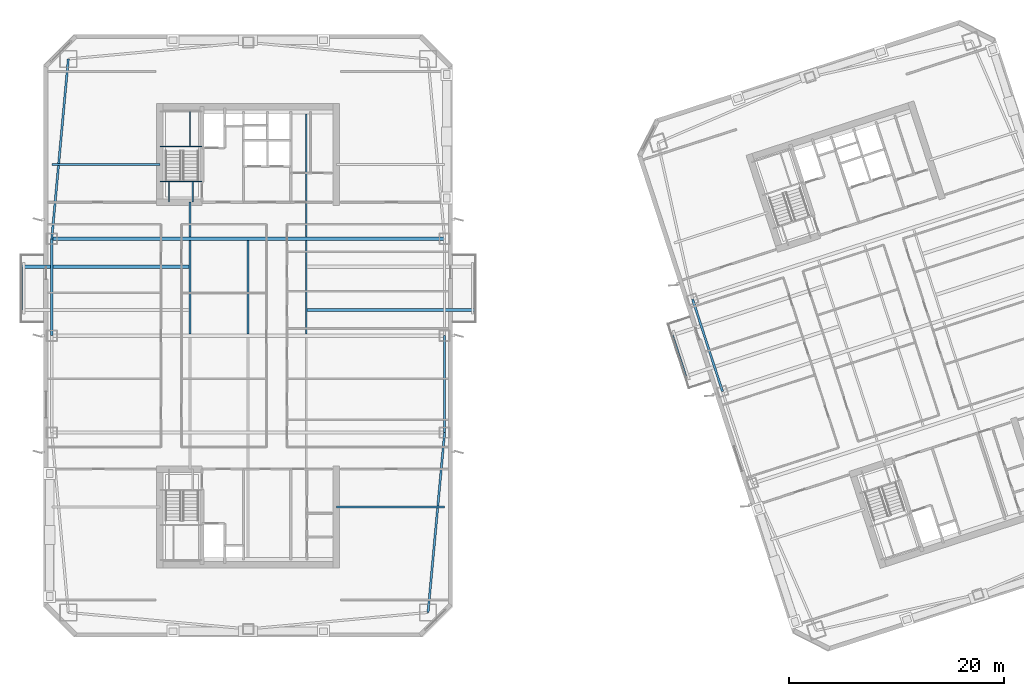
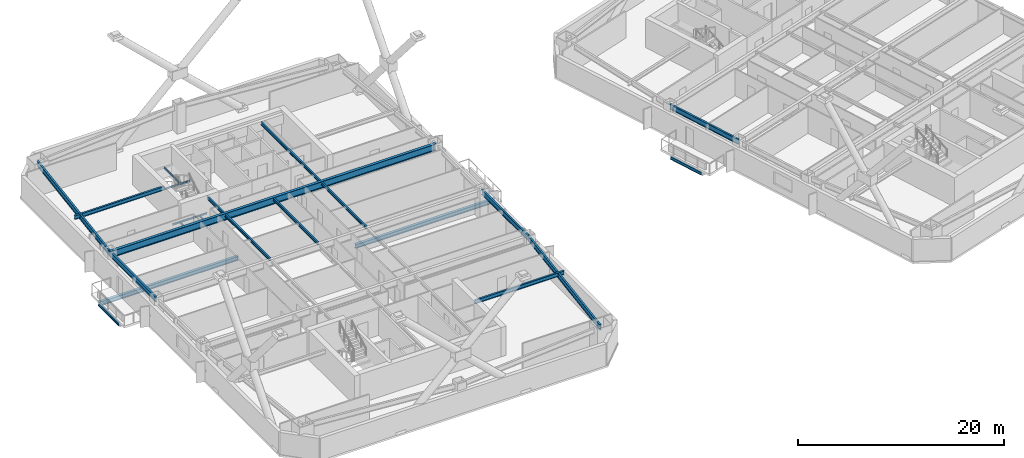
# One storey, part 4 of 24: 22 beams.
"""IFC4 building model written with IfcOpenShell, lengths in metres."""

from ifc_helpers import new_model, si_unit, direction, frame, origin, origin_2d, place, context, subcontext, project, spatial, i_section, extrude, material, material_profile, profile_set, type_object, element, save


model = new_model("IFC4")

# Units and contexts
model_context = context("Model", 3, precision=1e-05, world=origin(), true_north=direction((0.0, 1.0)))
body_context = subcontext(model_context, "Body", "Model", "MODEL_VIEW")
ifc_project = project(units=[si_unit("LENGTHUNIT", "METRE"), si_unit("AREAUNIT", "SQUARE_METRE"), si_unit("VOLUMEUNIT", "CUBIC_METRE"), si_unit("PLANEANGLEUNIT", "RADIAN"), si_unit("MASSUNIT", "GRAM", prefix="KILO")], contexts=[model_context])

# Site, building, storey
site_placement = place(None, origin())
site = spatial("IfcSite", under=ifc_project, at=site_placement, CompositionType="ELEMENT")
building_placement = place(site_placement, origin())
building = spatial("IfcBuilding", under=site, at=building_placement, Name="Qiaolan Cultural Towers", CompositionType="ELEMENT")
storey_placement = place(building_placement, frame((0.0, 0.0, 120.75)))
storey = spatial("IfcBuildingStorey", under=building, at=storey_placement, Name="L31", CompositionType="ELEMENT", Elevation=120.75)

# Beams
ifc_material_1 = material(Name="Steel Q355B", Category="steel")
ifc_material_profile_1 = material_profile(ifc_material_1, i_section(OverallWidth=0.300048828125, OverallDepth=0.488037109375, WebThickness=0.010986328125, FlangeThickness=0.01806640625, at=origin_2d()), Name="HM488x300x11x18")
ifc_profile_set_1 = profile_set([ifc_material_profile_1], Name="Steel Q355B")
beam_type_1 = type_object("IfcBeamType", Name="BM-HM488x300x11x18", PredefinedType="BEAM", material=ifc_profile_set_1)
for number, where, z_axis, x_axis, name in (
    (1, (24.60009765625, 40.39990234375, -0.52392578125), (-1.0, 0.0, 0.0), (0.0, -1.0, 0.0), "L31 T1 Tree Balcony Back-Spanned Bracket Beam"),
    (2, (35.39990234375, 36.39990234375, -0.52392578125), (1.0, 0.0, 0.0), (0.0, 1.0, 0.0), "L31 T1 Tree Balcony Back-Spanned Bracket Beam"),
):
    element("IfcBeam", number, at=place(storey_placement, frame(where, z_axis=z_axis, x_axis=x_axis)), inside=storey, type_object=beam_type_1, Name=name, PredefinedType="BEAM", context=body_context, shape_type="SweptSolid", body=[
        extrude(i_section(OverallWidth=0.300048828125, OverallDepth=0.488037109375, WebThickness=0.010986328125, FlangeThickness=0.01806640625, at=origin_2d()), origin(), (0.0, 0.0, 1.0), 15.650146484375),
    ])
ifc_material_2 = material(Name="Steel Q355B", Category="steel")
ifc_material_profile_2 = material_profile(ifc_material_2, i_section(OverallWidth=0.300048828125, OverallDepth=0.800048828125, WebThickness=0.013916015625, FlangeThickness=0.02587890625, at=origin_2d()), Name="HN800x300x14x26")
ifc_profile_set_2 = profile_set([ifc_material_profile_2], Name="Steel Q355B")
beam_type_2 = type_object("IfcBeamType", Name="BM-HN800x300x14x26", PredefinedType="BEAM", material=ifc_profile_set_2)
beam_1_placement = place(storey_placement, frame((11.75, 43.0, 2.7900390625), z_axis=(1.0, 0.0, 0.0), x_axis=(0.0, 1.0, 0.0)))
element("IfcBeam", 3, at=beam_1_placement, inside=storey, type_object=beam_type_2, Name="L31 T1 Primary Transverse Girder V3", PredefinedType="BEAM", context=body_context, shape_type="SweptSolid", body=[
    extrude(i_section(OverallWidth=0.300048828125, OverallDepth=0.800048828125, WebThickness=0.013916015625, FlangeThickness=0.02587890625, at=origin_2d()), origin(), (0.0, 0.0, 1.0), 36.5),
])
ifc_material_3 = material(Name="Steel Q355B", Category="steel")
ifc_material_profile_3 = material_profile(ifc_material_3, i_section(OverallWidth=0.175048828125, OverallDepth=0.35009765625, WebThickness=0.007080078125, FlangeThickness=0.010986328125, at=origin_2d()), Name="HN350x175x7x11")
ifc_profile_set_3 = profile_set([ifc_material_profile_3], Name="Steel Q355B")
beam_type_3 = type_object("IfcBeamType", Name="BM-JST-HN350x175x7x11", PredefinedType="JOIST", material=ifc_profile_set_3)
for number, where, z_axis, x_axis, name in (
    (4, (8.949951171875, 36.39990234375, -0.52392578125), (0.0, 1.0, 0.0), (-1.0, 0.0, 0.0), "L31 T1 Tree Balcony Outer Edge Beam"),
    (5, (70.665283203125, 30.2412109375, -0.52392578125), (-0.309022586479, 0.951054699292, 0.0), (-0.951054699292, -0.309022586479, 0.0), "L31 T2 Tree Balcony Outer Edge Beam"),
):
    element("IfcBeam", number, at=place(storey_placement, frame(where, z_axis=z_axis, x_axis=x_axis)), inside=storey, type_object=beam_type_3, Name=name, PredefinedType="JOIST", context=body_context, shape_type="SweptSolid", body=[
        extrude(i_section(OverallWidth=0.175048828125, OverallDepth=0.35009765625, WebThickness=0.007080078125, FlangeThickness=0.010986328125, at=origin_2d()), origin(), (0.0, 0.0, 1.0), 4.0),
    ])
beam_2_placement = place(storey_placement, frame((24.60009765625, 34.14990234375, 3.014892578125), z_axis=(0.0, 1.0, 0.0), x_axis=(-1.0, 0.0, 0.0)))
element("IfcBeam", 6, at=beam_2_placement, inside=storey, type_object=beam_type_3, Name="L31 T1 Secondary Floor Joist U1-3", PredefinedType="JOIST", context=body_context, shape_type="SweptSolid", body=[
    extrude(i_section(OverallWidth=0.175048828125, OverallDepth=0.35009765625, WebThickness=0.007080078125, FlangeThickness=0.010986328125, at=origin_2d()), origin(), (0.0, 0.0, 1.0), 8.7001953125),
])
beam_3_placement = place(storey_placement, frame((24.60009765625, 43.14990234375, 3.014892578125), z_axis=(0.0, 1.0, 0.0), x_axis=(-1.0, 0.0, 0.0)))
element("IfcBeam", 7, at=beam_3_placement, inside=storey, type_object=beam_type_3, Name="L31 T1 Secondary Floor Joist U1-4", PredefinedType="JOIST", context=body_context, shape_type="SweptSolid", body=[
    extrude(i_section(OverallWidth=0.175048828125, OverallDepth=0.35009765625, WebThickness=0.007080078125, FlangeThickness=0.010986328125, at=origin_2d()), origin(), (0.0, 0.0, 1.0), 3.25),
])
for number, where, z_axis, x_axis, name in (
    (8, (30.0, 34.14990234375, 3.014892578125), (0.0, 1.0, 0.0), (-1.0, 0.0, 0.0), "L31 T1 Secondary Floor Joist U2-3"),
    (9, (35.39990234375, 34.14990234375, 3.014892578125), (0.0, 1.0, 0.0), (-1.0, 0.0, 0.0), "L31 T1 Secondary Floor Joist U3-3"),
):
    element("IfcBeam", number, at=place(storey_placement, frame(where, z_axis=z_axis, x_axis=x_axis)), inside=storey, type_object=beam_type_3, Name=name, PredefinedType="JOIST", context=body_context, shape_type="SweptSolid", body=[
        extrude(i_section(OverallWidth=0.175048828125, OverallDepth=0.35009765625, WebThickness=0.007080078125, FlangeThickness=0.010986328125, at=origin_2d()), origin(), (0.0, 0.0, 1.0), 8.7001953125),
    ])
beam_4_placement = place(storey_placement, frame((35.39990234375, 43.14990234375, 3.014892578125), z_axis=(0.0, 1.0, 0.0), x_axis=(-1.0, 0.0, 0.0)))
element("IfcBeam", 10, at=beam_4_placement, inside=storey, type_object=beam_type_3, Name="L31 T1 Secondary Floor Joist U3-4", PredefinedType="JOIST", context=body_context, shape_type="SweptSolid", body=[
    extrude(i_section(OverallWidth=0.175048828125, OverallDepth=0.35009765625, WebThickness=0.007080078125, FlangeThickness=0.010986328125, at=origin_2d()), origin(), (0.0, 0.0, 1.0), 11.4501953125),
])
ifc_material_4 = material(Name="Steel Q355B", Category="steel")
ifc_material_profile_4 = material_profile(ifc_material_4, i_section(OverallWidth=0.199951171875, OverallDepth=0.449951171875, WebThickness=0.009033203125, FlangeThickness=0.013916015625, at=origin_2d()), Name="HN450x200x9x14")
ifc_profile_set_4 = profile_set([ifc_material_profile_4], Name="Steel Q355B")
beam_type_4 = type_object("IfcBeamType", Name="BM-LNT-HN450x200x9x14", PredefinedType="LINTEL", material=ifc_profile_set_4)
for number, where, z_axis, x_axis, name in (
    (11, (21.800048828125, 49.89990234375, 2.965087890625), (-1.0, 0.0, 0.0), (0.0, -1.0, 0.0), "L31 T1 Core Flank Tie Lintel WN"),
    (12, (38.199951171875, 18.10009765625, 2.965087890625), (1.0, 0.0, 0.0), (0.0, 1.0, 0.0), "L31 T1 Core Flank Tie Lintel ES"),
):
    element("IfcBeam", number, at=place(storey_placement, frame(where, z_axis=z_axis, x_axis=x_axis)), inside=storey, type_object=beam_type_4, Name=name, PredefinedType="LINTEL", context=body_context, shape_type="SweptSolid", body=[
        extrude(i_section(OverallWidth=0.199951171875, OverallDepth=0.449951171875, WebThickness=0.009033203125, FlangeThickness=0.013916015625, at=origin_2d()), origin(), (0.0, 0.0, 1.0), 10.050048828125),
    ])
ifc_material_5 = material(Name="Steel Q355B", Category="steel")
ifc_material_profile_5 = material_profile(ifc_material_5, i_section(OverallWidth=0.199951171875, OverallDepth=0.60009765625, WebThickness=0.010986328125, FlangeThickness=0.01708984375, at=origin_2d()), Name="HN600x200x11x17")
ifc_profile_set_5 = profile_set([ifc_material_profile_5], Name="Steel Q355B")
beam_type_5 = type_object("IfcBeamType", Name="BM-SPD-HN600x200x11x17", PredefinedType="SPANDREL", material=ifc_profile_set_5)
beam_5_placement = place(storey_placement, frame((46.7099609375, 8.2900390625, 2.889892578125), z_axis=(0.09177399582, 0.995779862064, 0.0), x_axis=(-0.995779862064, 0.09177399582, 0.0)))
element("IfcBeam", 13, at=beam_5_placement, inside=storey, type_object=beam_type_5, Name="L31 T1 Perimeter Spandrel Beam 3", PredefinedType="SPANDREL", context=body_context, shape_type="SweptSolid", body=[
    extrude(i_section(OverallWidth=0.199951171875, OverallDepth=0.60009765625, WebThickness=0.010986328125, FlangeThickness=0.01708984375, at=origin_2d()), origin(), (0.0, 0.0, 1.0), 16.78076171875),
])
beam_6_placement = place(storey_placement, frame((48.25, 25.0, 2.889892578125), z_axis=(0.0, 1.0, 0.0), x_axis=(-1.0, 0.0, 0.0)))
element("IfcBeam", 14, at=beam_6_placement, inside=storey, type_object=beam_type_5, Name="L31 T1 Perimeter Spandrel Beam 4", PredefinedType="SPANDREL", context=body_context, shape_type="SweptSolid", body=[
    extrude(i_section(OverallWidth=0.199951171875, OverallDepth=0.60009765625, WebThickness=0.010986328125, FlangeThickness=0.01708984375, at=origin_2d()), origin(), (0.0, 0.0, 1.0), 9.0),
])
beam_7_placement = place(storey_placement, frame((13.2900390625, 59.7099609375, 2.889892578125), z_axis=(-0.09177399582, -0.995779862064, 0.0), x_axis=(0.995779862064, -0.09177399582, 0.0)))
element("IfcBeam", 15, at=beam_7_placement, inside=storey, type_object=beam_type_5, Name="L31 T1 Perimeter Spandrel Beam 9", PredefinedType="SPANDREL", context=body_context, shape_type="SweptSolid", body=[
    extrude(i_section(OverallWidth=0.199951171875, OverallDepth=0.60009765625, WebThickness=0.010986328125, FlangeThickness=0.01708984375, at=origin_2d()), origin(), (0.0, 0.0, 1.0), 16.78076171875),
])
for number, where, z_axis, x_axis, name in (
    (16, (11.75, 43.0, 2.889892578125), (0.0, -1.0, 0.0), (1.0, 0.0, 0.0), "L31 T1 Perimeter Spandrel Beam 10"),
    (17, (71.28857421875, 37.383544921875, 2.889892578125), (0.309024734286, -0.951054001411, 0.0), (0.951054001411, 0.309024734286, 0.0), "L31 T2 Perimeter Spandrel Beam 10"),
):
    element("IfcBeam", number, at=place(storey_placement, frame(where, z_axis=z_axis, x_axis=x_axis)), inside=storey, type_object=beam_type_5, Name=name, PredefinedType="SPANDREL", context=body_context, shape_type="SweptSolid", body=[
        extrude(i_section(OverallWidth=0.199951171875, OverallDepth=0.60009765625, WebThickness=0.010986328125, FlangeThickness=0.01708984375, at=origin_2d()), origin(), (0.0, 0.0, 1.0), 9.0),
    ])
ifc_material_6 = material(Name="Steel Q355B", Category="steel")
ifc_material_profile_6 = material_profile(ifc_material_6, i_section(OverallWidth=0.10009765625, OverallDepth=0.199951171875, WebThickness=0.005615234375, FlangeThickness=0.008056640625, at=origin_2d()), Name="HN200x100x5.5x8")
ifc_profile_set_6 = profile_set([ifc_material_profile_6], Name="Steel Q355B")
beam_type_6 = type_object("IfcBeamType", Name="BM-STTRIM-200", PredefinedType="BEAM", material=ifc_profile_set_6)
beam_8_placement = place(storey_placement, frame((21.800048828125, 48.340087890625, -0.4599609375), z_axis=(1.0, 0.0, 0.0), x_axis=(0.0, 1.0, 0.0)))
element("IfcBeam", 18, at=beam_8_placement, inside=storey, type_object=beam_type_6, Name="L31 ST-W2 Floor Landing Header Beam", PredefinedType="BEAM", context=body_context, shape_type="SweptSolid", body=[
    extrude(i_section(OverallWidth=0.10009765625, OverallDepth=0.199951171875, WebThickness=0.005615234375, FlangeThickness=0.008056640625, at=origin_2d()), origin(), (0.0, 0.0, 1.0), 3.919921875),
])
for number, where, z_axis, x_axis, name in (
    (19, (22.64990234375, 46.39990234375, -0.4599609375), (0.0, 1.0, 0.0), (-1.0, 0.0, 0.0), "L31 ST-W2 Floor Landing Stringer 1"),
    (20, (24.85009765625, 46.39990234375, -0.4599609375), (0.0, 1.0, 0.0), (-1.0, 0.0, 0.0), "L31 ST-W2 Floor Landing Stringer 2"),
):
    element("IfcBeam", number, at=place(storey_placement, frame(where, z_axis=z_axis, x_axis=x_axis)), inside=storey, type_object=beam_type_6, Name=name, PredefinedType="BEAM", context=body_context, shape_type="SweptSolid", body=[
        extrude(i_section(OverallWidth=0.10009765625, OverallDepth=0.199951171875, WebThickness=0.005615234375, FlangeThickness=0.008056640625, at=origin_2d()), origin(), (0.0, 0.0, 1.0), 1.940185546875),
    ])
beam_9_placement = place(storey_placement, frame((21.800048828125, 51.588623046875, 1.425048828125), z_axis=(1.0, 0.0, 0.0), x_axis=(0.0, 1.0, 0.0)))
element("IfcBeam", 21, at=beam_9_placement, inside=storey, type_object=beam_type_6, Name="L31 ST-W2 Stair Landing Support Beam 1-1", PredefinedType="BEAM", context=body_context, shape_type="SweptSolid", body=[
    extrude(i_section(OverallWidth=0.10009765625, OverallDepth=0.199951171875, WebThickness=0.005615234375, FlangeThickness=0.008056640625, at=origin_2d()), origin(), (0.0, 0.0, 1.0), 3.919921875),
])
beam_10_placement = place(storey_placement, frame((24.610107421875, 51.588623046875, 1.425048828125), z_axis=(0.0, 1.0, 0.0), x_axis=(-1.0, 0.0, 0.0)))
element("IfcBeam", 22, at=beam_10_placement, inside=storey, type_object=beam_type_6, Name="L31 ST-W2 Stair Landing Trimmer 1", PredefinedType="BEAM", context=body_context, shape_type="SweptSolid", body=[
    extrude(i_section(OverallWidth=0.10009765625, OverallDepth=0.199951171875, WebThickness=0.005615234375, FlangeThickness=0.008056640625, at=origin_2d()), origin(), (0.0, 0.0, 1.0), 3.2314453125),
])

save(model, "model.ifc")
